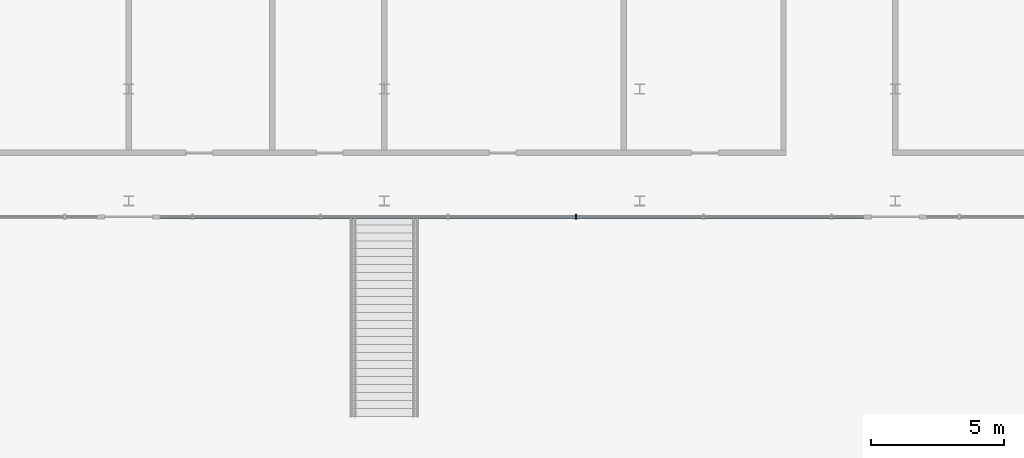
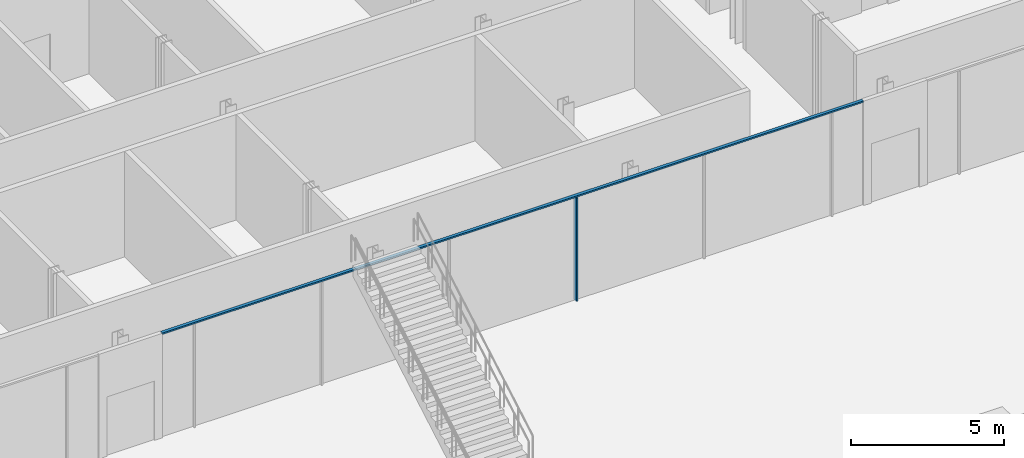
# One storey, part 7 of 43: 2 members, 1 element without a shape of its own.
"""IFC4 building model written with IfcOpenShell, lengths in metres."""

from ifc_helpers import new_model, si_unit, direction, frame, origin, origin_2d, place, context, subcontext, project, spatial, rectangle, extrude, material, layer, layer_set, material_profile, profile_set, type_object, element, aggregate, save


model = new_model("IFC4")

# Units and contexts
model_context = context("Model", 3, precision=1e-05, world=origin(), true_north=direction((0.0, 1.0)))
body_context = subcontext(model_context, "Body", "Model", "MODEL_VIEW")
ifc_project = project(units=[si_unit("LENGTHUNIT", "METRE"), si_unit("AREAUNIT", "SQUARE_METRE"), si_unit("VOLUMEUNIT", "CUBIC_METRE"), si_unit("PLANEANGLEUNIT", "RADIAN"), si_unit("MASSUNIT", "GRAM", prefix="KILO")], contexts=[model_context])

# Site, building, storey
site_placement = place(None, origin())
site = spatial("IfcSite", under=ifc_project, at=site_placement, CompositionType="ELEMENT")
building_placement = place(site_placement, origin())
building = spatial("IfcBuilding", under=site, at=building_placement, Name="Madar Terraces", CompositionType="ELEMENT")
storey_placement = place(building_placement, frame((0.0, 0.0, 10.5)))
storey = spatial("IfcBuildingStorey", under=building, at=storey_placement, Name="L02", CompositionType="ELEMENT", Elevation=10.5)

# Curtain wall, members
ifc_material_1 = material(Name="Glass, clear low-iron, with black aluminium frame", Category="aluminium")
ifc_layer = layer(ifc_material_1, 0.199951171875)
ifc_layer_set = layer_set([ifc_layer], Name="Facade curtain wall, shopfront glazing")
curtain_wall_type = type_object("IfcCurtainWallType", Name="Facade curtain wall, shopfront glazing", PredefinedType="NOTDEFINED", material=ifc_layer_set)
curtain_wall_placement = place(storey_placement, origin())
curtain_wall = element("IfcCurtainWall", 1, at=curtain_wall_placement, inside=storey, type_object=curtain_wall_type, Name="Outer skin curtain wall south bay 1", PredefinedType="NOTDEFINED")
ifc_material_2 = material(Name="Aluminium, black anodised", Category="aluminium")
ifc_material_profile_1 = material_profile(ifc_material_2, rectangle(XDim=0.199951171875, YDim=0.06005859375, at=origin_2d()), Name="Facade mullion 60x200")
ifc_profile_set_1 = profile_set([ifc_material_profile_1], Name="Aluminium, black anodised")
member_type_1 = type_object("IfcMemberType", Name="Facade mullion 60x200", PredefinedType="MULLION", material=ifc_profile_set_1)
member_1_placement = place(storey_placement, frame((21.60009765625, -24.0, 0.0), z_axis=(0.0, 0.0, 1.0), x_axis=(0.0, 1.0, 0.0)))
member_1 = element("IfcMember", 2, at=member_1_placement, type_object=member_type_1, Name="Mullion 5", PredefinedType="MULLION", context=body_context, shape_type="SweptSolid", body=[
    extrude(rectangle(XDim=0.199951171875, YDim=0.06005859375, at=origin_2d()), origin(), (0.0, 0.0, 1.0), 4.139892578125),
])
ifc_material_3 = material(Name="Aluminium, black anodised", Category="aluminium")
ifc_material_profile_2 = material_profile(ifc_material_3, rectangle(XDim=0.1201171875, YDim=0.06005859375, at=origin_2d()), Name="Facade transom 60x120")
ifc_profile_set_2 = profile_set([ifc_material_profile_2], Name="Aluminium, black anodised")
member_type_2 = type_object("IfcMemberType", Name="Facade transom 60x120", PredefinedType="USERDEFINED", material=ifc_profile_set_2)
member_2_placement = place(storey_placement, frame((6.0, -24.0, 4.169921875), z_axis=(1.0, 0.0, 0.0), x_axis=(0.0, 1.0, 0.0)))
member_2 = element("IfcMember", 3, at=member_2_placement, type_object=member_type_2, Name="Transom 2", ObjectType="TRANSOM", PredefinedType="USERDEFINED", context=body_context, shape_type="SweptSolid", body=[
    extrude(rectangle(XDim=0.1201171875, YDim=0.06005859375, at=origin_2d()), origin(), (0.0, 0.0, 1.0), 26.39990234375),
])
aggregate(curtain_wall, [member_1, member_2])

save(model, "model.ifc")
